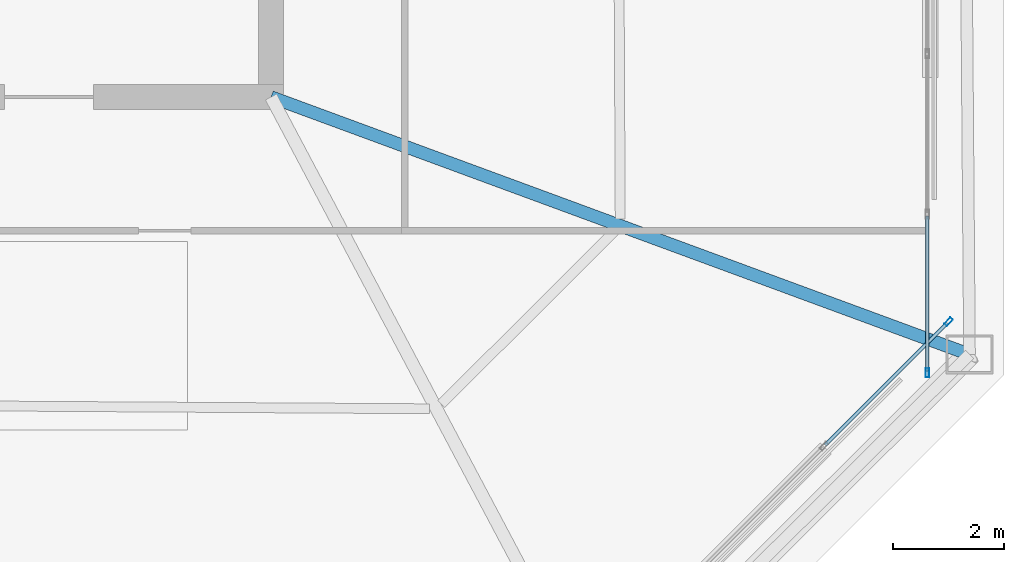
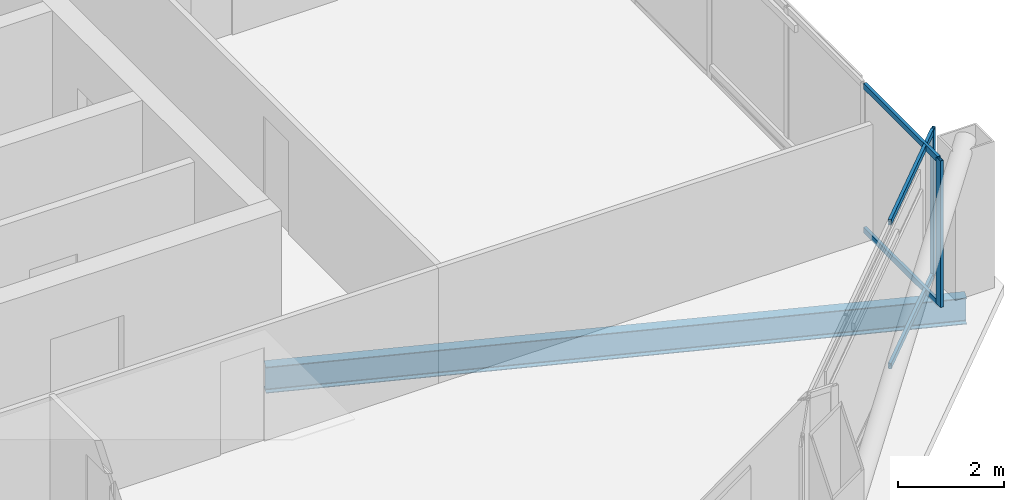
# One storey, part 20 of 39: 6 members, 1 beam, 2 elements without a shape of their own.
"""IFC4 building model written with IfcOpenShell, lengths in metres."""

from ifc_helpers import new_model, si_unit, direction, frame, origin, origin_2d, place, context, subcontext, project, spatial, hollow_rectangle, i_section, extrude, material, layer, layer_set, material_profile, profile_set, type_object, element, aggregate, save


model = new_model("IFC4")

# Units and contexts
model_context = context("Model", 3, precision=1e-05, world=origin(), true_north=direction((0.0, 1.0)))
body_context = subcontext(model_context, "Body", "Model", "MODEL_VIEW")
ifc_project = project(units=[si_unit("LENGTHUNIT", "METRE"), si_unit("AREAUNIT", "SQUARE_METRE"), si_unit("VOLUMEUNIT", "CUBIC_METRE"), si_unit("PLANEANGLEUNIT", "RADIAN"), si_unit("MASSUNIT", "GRAM", prefix="KILO")], contexts=[model_context])

# Site, building, storey
site_placement = place(None, origin())
site = spatial("IfcSite", under=ifc_project, at=site_placement, CompositionType="ELEMENT")
building_placement = place(site_placement, origin())
building = spatial("IfcBuilding", under=site, at=building_placement, Name="Caelvoria Tower", CompositionType="ELEMENT")
storey_placement = place(building_placement, frame((0.0, 0.0, 198.60009765625)))
storey = spatial("IfcBuildingStorey", under=building, at=storey_placement, Name="L52", CompositionType="ELEMENT", Elevation=198.60009765625)

# Curtain wall, member
ifc_material_1 = material(Name="Anodised Bronze Aluminium and Low-E Glass", Category="aluminium")
ifc_layer = layer(ifc_material_1, 0.175048828125, Name="Anodised Bronze Aluminium and Low-E Glass")
ifc_layer_set = layer_set([ifc_layer], Name="CW System 4 High-Zone Tapered Crystal Facade - Anodised Bronze Aluminium and Low-E Glass")
curtain_wall_type = type_object("IfcCurtainWallType", Name="CW System 4 High-Zone Tapered Crystal Facade", PredefinedType="NOTDEFINED", material=ifc_layer_set)
curtain_wall_1_placement = place(storey_placement, origin())
curtain_wall_1 = element("IfcCurtainWall", 1, at=curtain_wall_1_placement, inside=storey, type_object=curtain_wall_type, Name="CW-04 Curtain Wall L52-E1", PredefinedType="NOTDEFINED")
ifc_material_2 = material(Name="Anodised Bronze Architectural Aluminium", Category="aluminium")
ifc_material_profile_1 = material_profile(ifc_material_2, hollow_rectangle(XDim=0.06494140625, YDim=0.159912109375, WallThickness=0.00390625, at=origin_2d()), Name="Anodised Bronze Architectural Aluminium")
ifc_profile_set_1 = profile_set([ifc_material_profile_1], Name="CW_MULL_65X160 - Anodised Bronze Architectural Aluminium")
member_type_1 = type_object("IfcMemberType", Name="Curtain Wall Mullion 65x160 Bronze Aluminium", PredefinedType="MULLION", material=ifc_profile_set_1)
member_1_placement = place(storey_placement, frame((67.201171875, 19.952880859375, 0.0), z_axis=(0.0, 0.0, 1.0), x_axis=(-0.707106781187, 0.707106781187, 0.0)))
member_1 = element("IfcMember", 2, at=member_1_placement, type_object=member_type_1, Name="CW-04 mullion 4", PredefinedType="MULLION", context=body_context, shape_type="SweptSolid", body=[
    extrude(hollow_rectangle(XDim=0.06494140625, YDim=0.159912109375, WallThickness=0.00390625, at=origin_2d()), origin(), (0.0, 0.0, 1.0), 3.375),
])

curtain_wall_2_placement = place(storey_placement, origin())
curtain_wall_2 = element("IfcCurtainWall", 3, at=curtain_wall_2_placement, inside=storey, type_object=curtain_wall_type, Name="CW-04 Curtain Wall L52-E2", PredefinedType="NOTDEFINED")
member_2_placement = place(storey_placement, frame((66.820068359375, 19.032470703125, 0.0), z_axis=(0.0, 0.0, 1.0), x_axis=(-1.0, 0.0, 0.0)))
member_2 = element("IfcMember", 4, at=member_2_placement, type_object=member_type_1, Name="CW-04 mullion 1", PredefinedType="MULLION", context=body_context, shape_type="SweptSolid", body=[
    extrude(hollow_rectangle(XDim=0.06494140625, YDim=0.159912109375, WallThickness=0.00390625, at=origin_2d()), origin(), (0.0, 0.0, 1.0), 3.375),
])

# Member
ifc_material_profile_2 = material_profile(ifc_material_2, hollow_rectangle(XDim=0.06494140625, YDim=0.1298828125, WallThickness=0.00341796875, at=origin_2d()), Name="Anodised Bronze Architectural Aluminium")
ifc_profile_set_2 = profile_set([ifc_material_profile_2], Name="CW_TRAN_65X130 - Anodised Bronze Architectural Aluminium")
member_type_2 = type_object("IfcMemberType", Name="Curtain Wall Transom 65x130 Bronze Aluminium", PredefinedType="USERDEFINED", material=ifc_profile_set_2)
member_3_placement = place(storey_placement, frame((64.98046875, 17.732177734375, 0.032470703125), z_axis=(0.707106781187, 0.707106781187, 0.0), x_axis=(-0.707106781187, 0.707106781187, 0.0)))
member_3 = element("IfcMember", 5, at=member_3_placement, type_object=member_type_2, Name="CW-04 transom 3.1", ObjectType="TRANSOM", PredefinedType="USERDEFINED", context=body_context, shape_type="SweptSolid", body=[
    extrude(hollow_rectangle(XDim=0.06494140625, YDim=0.1298828125, WallThickness=0.00341796875, at=origin_2d()), origin(), (0.0, 0.0, 1.0), 3.108154296875),
])

member_4_placement = place(storey_placement, frame((64.98046875, 17.732177734375, 3.34228515625), z_axis=(0.707106781187, 0.707106781187, 0.0), x_axis=(-0.707106781187, 0.707106781187, 0.0)))
member_4 = element("IfcMember", 6, at=member_4_placement, type_object=member_type_2, Name="CW-04 transom 3.2", ObjectType="TRANSOM", PredefinedType="USERDEFINED", context=body_context, shape_type="SweptSolid", body=[
    extrude(hollow_rectangle(XDim=0.06494140625, YDim=0.1298828125, WallThickness=0.00341796875, at=origin_2d()), origin(), (0.0, 0.0, 1.0), 3.108154296875),
])

aggregate(curtain_wall_1, [member_1, member_3, member_4])

member_5_placement = place(storey_placement, frame((66.820068359375, 19.06494140625, 0.032470703125), z_axis=(0.0, 1.0, 0.0), x_axis=(-1.0, 0.0, 0.0)))
member_5 = element("IfcMember", 7, at=member_5_placement, type_object=member_type_2, Name="CW-04 transom 1.1", ObjectType="TRANSOM", PredefinedType="USERDEFINED", context=body_context, shape_type="SweptSolid", body=[
    extrude(hollow_rectangle(XDim=0.06494140625, YDim=0.1298828125, WallThickness=0.00341796875, at=origin_2d()), origin(), (0.0, 0.0, 1.0), 2.79150390625),
])

member_6_placement = place(storey_placement, frame((66.820068359375, 19.06494140625, 3.34228515625), z_axis=(0.0, 1.0, 0.0), x_axis=(-1.0, 0.0, 0.0)))
member_6 = element("IfcMember", 8, at=member_6_placement, type_object=member_type_2, Name="CW-04 transom 1.2", ObjectType="TRANSOM", PredefinedType="USERDEFINED", context=body_context, shape_type="SweptSolid", body=[
    extrude(hollow_rectangle(XDim=0.06494140625, YDim=0.1298828125, WallThickness=0.00341796875, at=origin_2d()), origin(), (0.0, 0.0, 1.0), 2.79150390625),
])

aggregate(curtain_wall_2, [member_2, member_5, member_6])

# Beam
ifc_material_3 = material(Name="Structural Steel ASTM A992 Gr.50", Category="steel")
ifc_material_profile_3 = material_profile(ifc_material_3, i_section(OverallWidth=0.22802734375, OverallDepth=0.60302734375, WebThickness=0.010498046875, FlangeThickness=0.014892578125, FilletRadius=0.01806640625, at=origin_2d()), Name="Structural Steel ASTM A992 Gr.50")
ifc_profile_set_3 = profile_set([ifc_material_profile_3], Name="W610X101 - Structural Steel ASTM A992 Gr.50")
beam_type = type_object("IfcBeamType", Name="Primary Floor Girder W610X101", PredefinedType="BEAM", material=ifc_profile_set_3)
beam_placement = place(storey_placement, frame((55.0, 24.0, -0.526611328125), z_axis=(0.938294602718, -0.345837011483, 0.0), x_axis=(0.345837011483, 0.938294602718, 0.0)))
element("IfcBeam", 9, at=beam_placement, inside=storey, type_object=beam_type, Name="Primary Floor Girder L52-03", PredefinedType="BEAM", context=body_context, shape_type="SweptSolid", body=[
    extrude(i_section(OverallWidth=0.22802734375, OverallDepth=0.60302734375, WebThickness=0.010498046875, FlangeThickness=0.014892578125, FilletRadius=0.01806640625, at=origin_2d()), origin(), (0.0, 0.0, 1.0), 13.40576171875),
])

save(model, "model.ifc")
